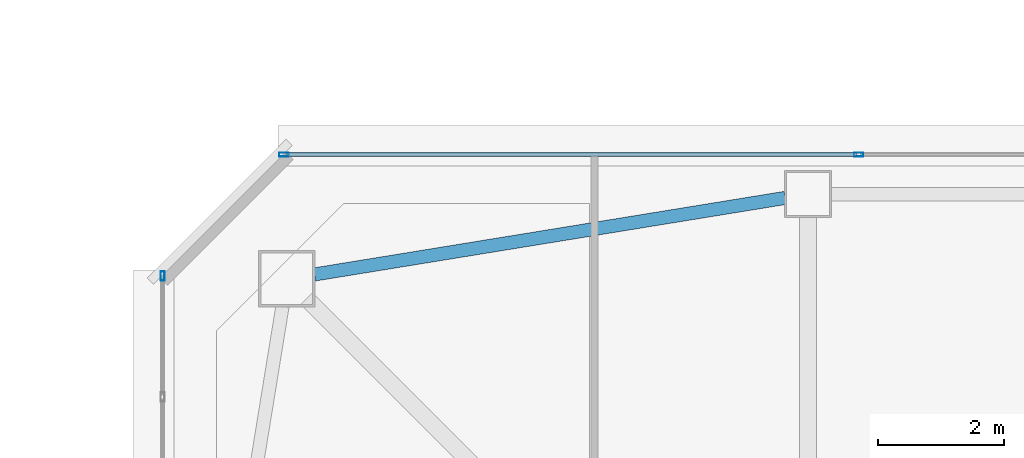
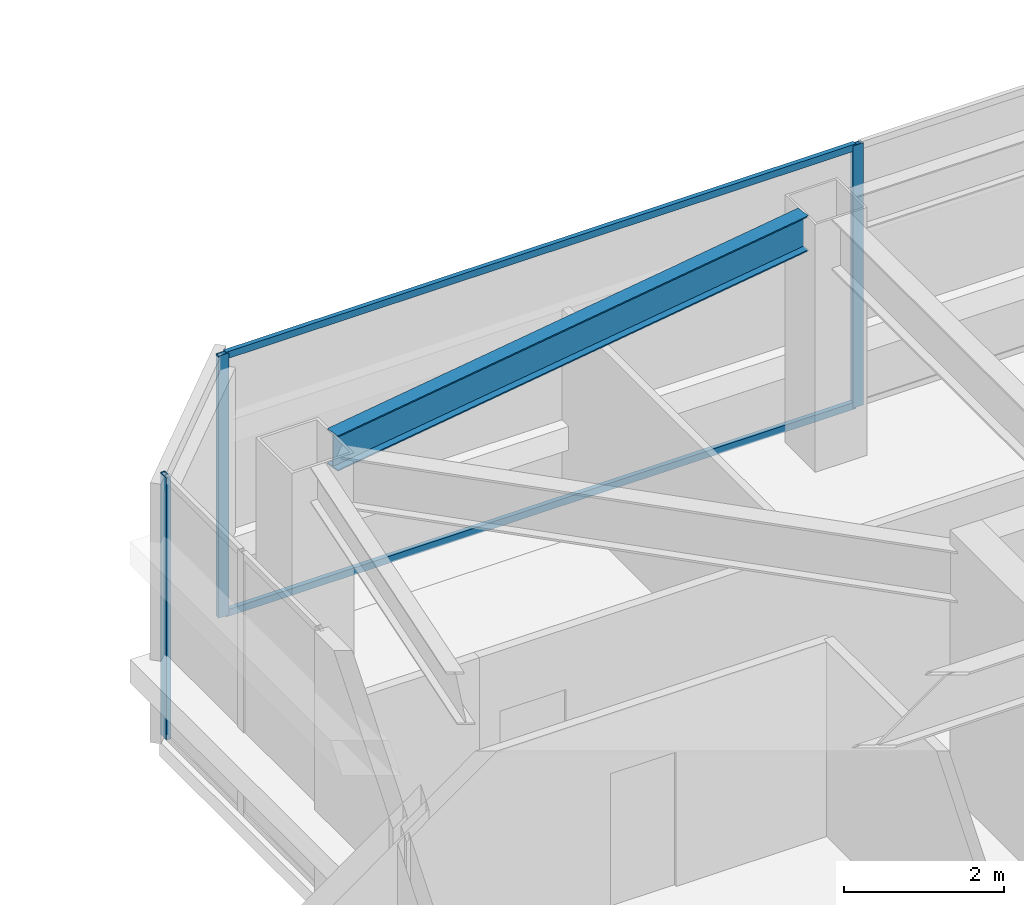
# One storey, part 16 of 51: 5 members, 1 beam, 2 elements without a shape of their own.
"""IFC4 building model written with IfcOpenShell, lengths in metres."""

from ifc_helpers import new_model, si_unit, direction, frame, origin, origin_2d, place, context, subcontext, project, spatial, hollow_rectangle, i_section, extrude, material, material_profile, profile_set, type_object, element, aggregate, save


model = new_model("IFC4")

# Units and contexts
model_context = context("Model", 3, precision=1e-05, world=origin(), true_north=direction((0.0, 1.0)))
body_context = subcontext(model_context, "Body", "Model", "MODEL_VIEW")
ifc_project = project(units=[si_unit("LENGTHUNIT", "METRE"), si_unit("AREAUNIT", "SQUARE_METRE"), si_unit("VOLUMEUNIT", "CUBIC_METRE"), si_unit("PLANEANGLEUNIT", "RADIAN"), si_unit("MASSUNIT", "GRAM", prefix="KILO")], contexts=[model_context])

# Site, building, storey
site_placement = place(None, origin())
site = spatial("IfcSite", under=ifc_project, at=site_placement, CompositionType="ELEMENT")
building_placement = place(site_placement, origin())
building = spatial("IfcBuilding", under=site, at=building_placement, Name="Tashvorn Skyway Center", CompositionType="ELEMENT")
storey_placement = place(building_placement, frame((0.0, 0.0, 251.39990234375)))
storey = spatial("IfcBuildingStorey", under=building, at=storey_placement, Name="L68", CompositionType="ELEMENT", Elevation=251.39990234375)

# Beam
ifc_material_1 = material(Name="Steel ASTM A992 Grade 50", Category="steel")
ifc_material_profile_1 = material_profile(ifc_material_1, i_section(OverallWidth=0.2109375, OverallDepth=0.5390625, WebThickness=0.01171875, FlangeThickness=0.018798828125, at=origin_2d()), Name="W21X73")
ifc_profile_set_1 = profile_set([ifc_material_profile_1], Name="Steel ASTM A992 Grade 50")
beam_type = type_object("IfcBeamType", Name="BM-SPANDREL-W21X73", PredefinedType="SPANDREL", material=ifc_profile_set_1)
beam_placement = place(storey_placement, frame((36.23486328125, 46.990478515625, 3.510498046875), z_axis=(-0.987032749583, -0.160519005885, 0.0), x_axis=(0.160519005885, -0.987032749583, 0.0)))
element("IfcBeam", 1, at=beam_placement, inside=storey, type_object=beam_type, Name="Tower 1 L68 Spandrel Beam 09", PredefinedType="SPANDREL", context=body_context, shape_type="SweptSolid", body=[
    extrude(i_section(OverallWidth=0.2109375, OverallDepth=0.5390625, WebThickness=0.01171875, FlangeThickness=0.018798828125, at=origin_2d()), origin(), (0.0, 0.0, 1.0), 7.593994140625),
])

# Curtain wall, member
ifc_material_2 = material(Name="Thermally broken bronze-anodized aluminium 6063-T6", Category="aluminium")
curtain_wall_type = type_object("IfcCurtainWallType", Name="CW-CW-SKY", PredefinedType="NOTDEFINED", material=ifc_material_2)
curtain_wall_1_placement = place(storey_placement, origin())
curtain_wall_1 = element("IfcCurtainWall", 2, at=curtain_wall_1_placement, inside=storey, type_object=curtain_wall_type, Name="Tower 1 L68 West Curtain Wall B Glazing Group 1", PredefinedType="NOTDEFINED")
ifc_material_profile_2 = material_profile(ifc_material_2, hollow_rectangle(XDim=0.06494140625, YDim=0.14990234375, WallThickness=0.00390625, at=origin_2d()), Name="ALU-MULL-65x150")
ifc_profile_set_2 = profile_set([ifc_material_profile_2], Name="Thermally broken bronze-anodized aluminium 6063-T6")
member_type_1 = type_object("IfcMemberType", Name="CWM-CW-SKY", PredefinedType="MULLION", material=ifc_profile_set_2)
member_1_placement = place(storey_placement, frame((26.320068359375, 45.74755859375, 0.0), z_axis=(0.0, 0.0, 1.0), x_axis=(-1.0, 0.0, 0.0)))
member_1 = element("IfcMember", 3, at=member_1_placement, type_object=member_type_1, Name="CW-SKY mullion 3", PredefinedType="MULLION", context=body_context, shape_type="SweptSolid", body=[
    extrude(hollow_rectangle(XDim=0.06494140625, YDim=0.14990234375, WallThickness=0.00390625, at=origin_2d()), origin(), (0.0, 0.0, 1.0), 4.0),
])
aggregate(curtain_wall_1, [member_1])

# Curtain wall, members
curtain_wall_2_placement = place(storey_placement, origin())
curtain_wall_2 = element("IfcCurtainWall", 4, at=curtain_wall_2_placement, inside=storey, type_object=curtain_wall_type, Name="Tower 1 L68 North Unitised Curtain Wall", PredefinedType="NOTDEFINED")
member_2_placement = place(storey_placement, frame((28.25244140625, 47.679931640625, 0.0), z_axis=(0.0, 0.0, 1.0), x_axis=(0.0, 1.0, 0.0)))
member_2 = element("IfcMember", 5, at=member_2_placement, type_object=member_type_1, Name="CW-SKY mullion 1", PredefinedType="MULLION", context=body_context, shape_type="SweptSolid", body=[
    extrude(hollow_rectangle(XDim=0.06494140625, YDim=0.14990234375, WallThickness=0.00390625, at=origin_2d()), origin(), (0.0, 0.0, 1.0), 4.0),
])
member_3_placement = place(storey_placement, frame((37.40673828125, 47.679931640625, 0.0), z_axis=(0.0, 0.0, 1.0), x_axis=(0.0, 1.0, 0.0)))
member_3 = element("IfcMember", 6, at=member_3_placement, type_object=member_type_1, Name="CW-SKY mullion 2", PredefinedType="MULLION", context=body_context, shape_type="SweptSolid", body=[
    extrude(hollow_rectangle(XDim=0.06494140625, YDim=0.14990234375, WallThickness=0.00390625, at=origin_2d()), origin(), (0.0, 0.0, 1.0), 4.0),
])
ifc_material_profile_3 = material_profile(ifc_material_2, hollow_rectangle(XDim=0.06494140625, YDim=0.10498046875, WallThickness=0.00390625, at=origin_2d()), Name="ALU-TRAN-65x105")
ifc_profile_set_3 = profile_set([ifc_material_profile_3], Name="Thermally broken bronze-anodized aluminium 6063-T6")
member_type_2 = type_object("IfcMemberType", Name="CWT-CW-SKY", PredefinedType="USERDEFINED", material=ifc_profile_set_3)
member_4_placement = place(storey_placement, frame((28.284912109375, 47.679931640625, 0.03271484375), z_axis=(1.0, 0.0, 0.0), x_axis=(0.0, 1.0, 0.0)))
member_4 = element("IfcMember", 7, at=member_4_placement, type_object=member_type_2, Name="CW-SKY transom 1.1", ObjectType="TRANSOM", PredefinedType="USERDEFINED", context=body_context, shape_type="SweptSolid", body=[
    extrude(hollow_rectangle(XDim=0.06494140625, YDim=0.10498046875, WallThickness=0.00390625, at=origin_2d()), origin(), (0.0, 0.0, 1.0), 9.08935546875),
])
member_5_placement = place(storey_placement, frame((28.284912109375, 47.679931640625, 3.967529296875), z_axis=(1.0, 0.0, 0.0), x_axis=(0.0, 1.0, 0.0)))
member_5 = element("IfcMember", 8, at=member_5_placement, type_object=member_type_2, Name="CW-SKY transom 1.2", ObjectType="TRANSOM", PredefinedType="USERDEFINED", context=body_context, shape_type="SweptSolid", body=[
    extrude(hollow_rectangle(XDim=0.06494140625, YDim=0.10498046875, WallThickness=0.00390625, at=origin_2d()), origin(), (0.0, 0.0, 1.0), 9.08935546875),
])
aggregate(curtain_wall_2, [member_2, member_3, member_4, member_5])

save(model, "model.ifc")
